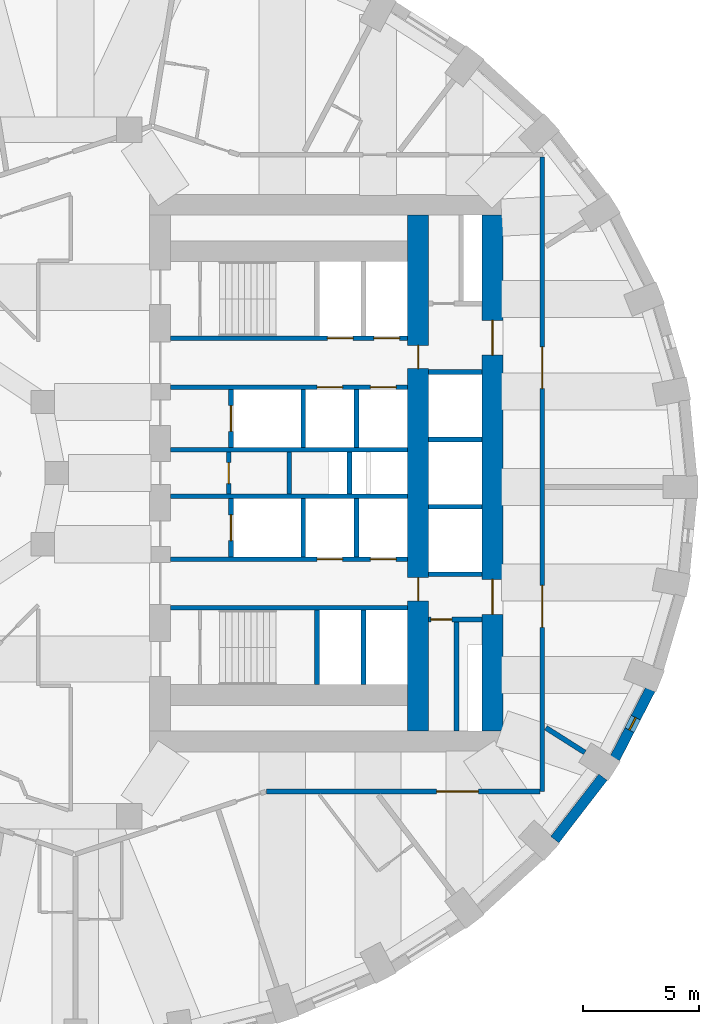
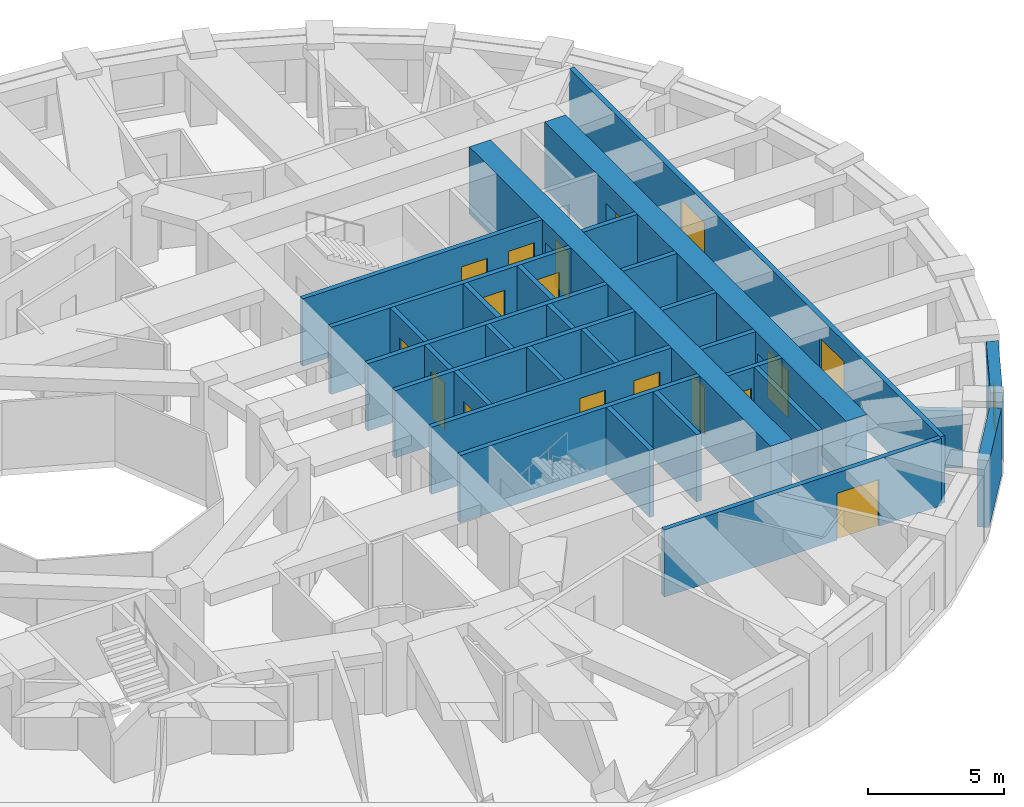
# One storey, part 6 of 12: 30 walls, 17 doors, 1 window, 18 openings.
"""IFC4 building model written with IfcOpenShell, lengths in metres."""

from ifc_helpers import new_model, si_unit, direction, frame, frame_2d, origin, place, context, subcontext, project, spatial, rectangle, extrude, material, layer, layer_set, type_object, element, fill, save


model = new_model("IFC4")

# Units and contexts
model_context = context("Model", 3, precision=1e-05, world=origin(), true_north=direction((0.0, 1.0)))
body_context = subcontext(model_context, "Body", "Model", "MODEL_VIEW")
ifc_project = project(units=[si_unit("LENGTHUNIT", "METRE"), si_unit("AREAUNIT", "SQUARE_METRE"), si_unit("VOLUMEUNIT", "CUBIC_METRE"), si_unit("PLANEANGLEUNIT", "RADIAN"), si_unit("MASSUNIT", "GRAM", prefix="KILO")], contexts=[model_context])

# Site, building, storey
site_placement = place(None, origin())
site = spatial("IfcSite", under=ifc_project, at=site_placement, CompositionType="ELEMENT")
building_placement = place(site_placement, origin())
building = spatial("IfcBuilding", under=site, at=building_placement, Name="Taillehof Tower", CompositionType="ELEMENT")
storey_placement = place(building_placement, frame((0.0, 0.0, 118.60009765625)))
storey = spatial("IfcBuildingStorey", under=building, at=storey_placement, Name="L33", CompositionType="ELEMENT", Elevation=118.60009765625)

# Wall
ifc_material_1 = material(Name="Brick masonry", Category="masonry")
ifc_layer_1 = layer(ifc_material_1, 0.449951171875)
ifc_layer_set_1 = layer_set([ifc_layer_1], Name="Brick infill wall 450")
wall_type_1 = type_object("IfcWallType", Name="Brick infill wall 450", PredefinedType="SOLIDWALL", material=ifc_layer_set_1)
wall_1_placement = place(storey_placement, frame((21.43505859375, -15.775390625, 0.0), z_axis=(0.0, 0.0, 1.0), x_axis=(0.610693945156, 0.791866721961, 0.0)))
element("IfcWall", 1, at=wall_1_placement, inside=storey, type_object=wall_type_1, Name="Brick wall L33 bay 33", PredefinedType="SOLIDWALL", context=body_context, shape_type="SweptSolid", body=[
    extrude(rectangle(XDim=3.39453125, YDim=0.449951171875, at=frame_2d((1.697265625, 0.0))), origin(), (0.0, 0.0, 1.0), 3.02001953125),
])

# Wall, opening, window
wall_2_placement = place(storey_placement, frame((24.022705078125, -12.27685546875, 0.0), z_axis=(0.0, 0.0, 1.0), x_axis=(0.456828186229, 0.889554949549, 0.0)))
wall_2 = element("IfcWall", 2, at=wall_2_placement, inside=storey, type_object=wall_type_1, Name="Brick wall L33 bay 34", PredefinedType="SOLIDWALL", context=body_context, shape_type="SweptSolid", body=[
    extrude(rectangle(XDim=3.332763671875, YDim=0.449951171875, at=frame_2d((1.66650390625, 0.0))), origin(), (0.0, 0.0, 1.0), 3.02001953125),
])
opening_1_placement = place(wall_2_placement, frame((1.366455078125, 0.0, 0.39990234375)))
opening_1 = element("IfcOpeningElement", 3, at=opening_1_placement, cuts=wall_2, Name="Opening W6", PredefinedType="OPENING", context=body_context, shape_type="SweptSolid", body=[
    extrude(rectangle(XDim=0.60009765625, YDim=1.75, at=frame_2d((0.300048828125, 0.875))), frame((0.0, 0.23486328125, 0.0), z_axis=(0.0, -1.0, 0.0), x_axis=(1.0, 0.0, 0.0)), (0.0, 0.0, 1.0), 0.469970703125),
])
ifc_material_2 = material(Name="Aluminium window frame with clear double glazing", Category="aluminium")
window_type = type_object("IfcWindowType", Name="Slot window 600x1750", PartitioningType="SINGLE_PANEL", PredefinedType="WINDOW", material=ifc_material_2)
window_placement = place(opening_1_placement, origin())
window = element("IfcWindow", 4, at=window_placement, inside=storey, type_object=window_type, Name="W6", OverallHeight=1.75, OverallWidth=0.60009765625, PartitioningType="SINGLE_PANEL", PredefinedType="WINDOW", context=body_context, shape_type="SweptSolid", body=[
    extrude(rectangle(XDim=0.60009765625, YDim=1.75, at=frame_2d((0.300048828125, 0.875))), frame((0.0, 0.034912109375, 0.0), z_axis=(0.0, -1.0, 0.0), x_axis=(1.0, 0.0, 0.0)), (0.0, 0.0, 1.0), 0.06005859375),
])
fill(opening_1, window)

# Wall, opening, door
ifc_material_3 = material(Name="Calcium silicate masonry", Category="masonry")
ifc_layer_2 = layer(ifc_material_3, 0.199951171875)
ifc_layer_set_2 = layer_set([ifc_layer_2], Name="Compartment wall calcium silicate 200")
wall_type_2 = type_object("IfcWallType", Name="Compartment wall calcium silicate 200", PredefinedType="PARTITIONING", material=ifc_layer_set_2)
wall_3_placement = place(storey_placement, frame((7.39990234375, -0.89990234375, 0.0), z_axis=(0.0, 0.0, 1.0), x_axis=(0.0, 1.0, 0.0)))
wall_3 = element("IfcWall", 5, at=wall_3_placement, inside=storey, type_object=wall_type_2, Name="Compartment wall FW", PredefinedType="PARTITIONING", context=body_context, shape_type="SweptSolid", body=[
    extrude(rectangle(XDim=1.7998046875, YDim=0.199951171875, at=frame_2d((0.89990234375, 0.0))), origin(), (0.0, 0.0, 1.0), 3.02001953125),
])
opening_2_placement = place(wall_3_placement, frame((0.449951171875, 0.0, 0.0)))
opening_2 = element("IfcOpeningElement", 6, at=opening_2_placement, cuts=wall_3, Name="Opening D3314", PredefinedType="OPENING", context=body_context, shape_type="SweptSolid", body=[
    extrude(rectangle(XDim=0.89990234375, YDim=2.10009765625, at=frame_2d((0.449951171875, 1.050048828125))), frame((0.0, 0.10986328125, 0.0), z_axis=(0.0, -1.0, 0.0), x_axis=(1.0, 0.0, 0.0)), (0.0, 0.0, 1.0), 0.219970703125),
])
ifc_material_4 = material(Name="Steel-faced fire door", Category="steel")
door_type_1 = type_object("IfcDoorType", Name="Riser and service room door 900x2100", OperationType="SINGLE_SWING_LEFT", PredefinedType="DOOR", material=ifc_material_4)
door_1_placement = place(opening_2_placement, origin())
door_1 = element("IfcDoor", 7, at=door_1_placement, inside=storey, type_object=door_type_1, Name="Door Bms Room", OperationType="SINGLE_SWING_RIGHT", OverallHeight=2.10009765625, OverallWidth=0.89990234375, PredefinedType="DOOR", context=body_context, shape_type="SweptSolid", body=[
    extrude(rectangle(XDim=0.89990234375, YDim=2.10009765625, at=frame_2d((0.449951171875, 1.050048828125))), frame((0.0, 0.02490234375, 0.0), z_axis=(0.0, -1.0, 0.0), x_axis=(1.0, 0.0, 0.0)), (0.0, 0.0, 1.0), 0.050048828125),
])
fill(opening_2, door_1)

# Walls
for number, where, z_axis, x_axis, name in (
    (8, (10.0, -0.89990234375, 0.0), (0.0, 0.0, 1.0), (0.0, 1.0, 0.0), "Compartment wall FW"),
    (9, (12.60009765625, -0.89990234375, 0.0), (0.0, 0.0, 1.0), (0.0, 1.0, 0.0), "Compartment wall FW"),
):
    element("IfcWall", number, at=place(storey_placement, frame(where, z_axis=z_axis, x_axis=x_axis)), inside=storey, type_object=wall_type_2, Name=name, PredefinedType="PARTITIONING", context=body_context, shape_type="SweptSolid", body=[
        extrude(rectangle(XDim=1.7998046875, YDim=0.199951171875, at=frame_2d((0.89990234375, 0.0))), origin(), (0.0, 0.0, 1.0), 3.02001953125),
    ])

# Wall, opening, door
wall_4_placement = place(storey_placement, frame((16.0, -6.300048828125, 0.0), z_axis=(0.0, 0.0, 1.0), x_axis=(1.0, 0.0, 0.0)))
wall_4 = element("IfcWall", 10, at=wall_4_placement, inside=storey, type_object=wall_type_2, Name="Compartment wall FW", PredefinedType="PARTITIONING", context=body_context, shape_type="SweptSolid", body=[
    extrude(rectangle(XDim=2.300048828125, YDim=0.199951171875, at=frame_2d((1.14990234375, 0.0))), origin(), (0.0, 0.0, 1.0), 3.02001953125),
])
opening_3_placement = place(wall_4_placement, frame((0.10009765625, 0.0, 0.0)))
opening_3 = element("IfcOpeningElement", 11, at=opening_3_placement, cuts=wall_4, Name="Opening D3318", PredefinedType="OPENING", context=body_context, shape_type="SweptSolid", body=[
    extrude(rectangle(XDim=0.89990234375, YDim=2.10009765625, at=frame_2d((0.449951171875, 1.050048828125))), frame((0.0, 0.10986328125, 0.0), z_axis=(0.0, -1.0, 0.0), x_axis=(1.0, 0.0, 0.0)), (0.0, 0.0, 1.0), 0.219970703125),
])
door_2_placement = place(opening_3_placement, origin())
door_2 = element("IfcDoor", 12, at=door_2_placement, inside=storey, type_object=door_type_1, Name="Door Housekeeping Store", OperationType="SINGLE_SWING_LEFT", OverallHeight=2.10009765625, OverallWidth=0.89990234375, PredefinedType="DOOR", context=body_context, shape_type="SweptSolid", body=[
    extrude(rectangle(XDim=0.89990234375, YDim=2.10009765625, at=frame_2d((0.449951171875, 1.050048828125))), frame((0.0, 0.02490234375, 0.0), z_axis=(0.0, -1.0, 0.0), x_axis=(1.0, 0.0, 0.0)), (0.0, 0.0, 1.0), 0.050048828125),
])
fill(opening_3, door_2)

# Wall
wall_5_placement = place(storey_placement, frame((17.199951171875, -11.10009765625, 0.0), z_axis=(0.0, 0.0, 1.0), x_axis=(0.0, 1.0, 0.0)))
element("IfcWall", 13, at=wall_5_placement, inside=storey, type_object=wall_type_2, Name="Compartment wall FW", PredefinedType="PARTITIONING", context=body_context, shape_type="SweptSolid", body=[
    extrude(rectangle(XDim=4.7001953125, YDim=0.199951171875, at=frame_2d((2.35009765625, 0.0))), origin(), (0.0, 0.0, 1.0), 3.02001953125),
])

# Wall, openings, doors
ifc_material_5 = material(Name="Gypsum board on steel studs, two layers each side", Category="steel")
ifc_layer_3 = layer(ifc_material_5, 0.199951171875)
ifc_layer_set_3 = layer_set([ifc_layer_3], Name="Compartment wall corridor 200")
wall_type_3 = type_object("IfcWallType", Name="Compartment wall corridor 200", PredefinedType="PARTITIONING", material=ifc_layer_set_3)
wall_6_placement = place(storey_placement, frame((20.89990234375, 13.599853515625, 0.0), z_axis=(0.0, 0.0, 1.0), x_axis=(0.0, -1.0, 0.0)))
wall_6 = element("IfcWall", 14, at=wall_6_placement, inside=storey, type_object=wall_type_3, Name="Compartment wall", PredefinedType="PARTITIONING", context=body_context, shape_type="SweptSolid", body=[
    extrude(rectangle(XDim=27.2998046875, YDim=0.199951171875, at=frame_2d((13.64990234375, 0.0))), origin(), (0.0, 0.0, 1.0), 3.02001953125),
])
opening_4_placement = place(wall_6_placement, frame((18.433349609375, 0.0, 0.0)))
opening_4 = element("IfcOpeningElement", 15, at=opening_4_placement, cuts=wall_6, Name="Opening D3363", PredefinedType="OPENING", context=body_context, shape_type="SweptSolid", body=[
    extrude(rectangle(XDim=1.800048828125, YDim=2.10009765625, at=frame_2d((0.89990234375, 1.050048828125))), frame((0.0, 0.10986328125, 0.0), z_axis=(0.0, -1.0, 0.0), x_axis=(1.0, 0.0, 0.0)), (0.0, 0.0, 1.0), 0.219970703125),
])
opening_5_placement = place(wall_6_placement, frame((8.16650390625, 0.0, 0.0)))
opening_5 = element("IfcOpeningElement", 16, at=opening_5_placement, cuts=wall_6, Name="Opening D3364", PredefinedType="OPENING", context=body_context, shape_type="SweptSolid", body=[
    extrude(rectangle(XDim=1.800048828125, YDim=2.10009765625, at=frame_2d((0.89990234375, 1.050048828125))), frame((0.0, 0.10986328125, 0.0), z_axis=(0.0, -1.0, 0.0), x_axis=(1.0, 0.0, 0.0)), (0.0, 0.0, 1.0), 0.219970703125),
])
ifc_material_6 = material(Name="Timber door leaf in steel frame", Category="steel")
door_type_2 = type_object("IfcDoorType", Name="Lounge and meeting room double door EI 30 1800 x 2100", OperationType="SINGLE_SWING_LEFT", PredefinedType="DOOR", material=ifc_material_6)
door_3_placement = place(opening_4_placement, origin())
door_3 = element("IfcDoor", 17, at=door_3_placement, inside=storey, type_object=door_type_2, Name="D3363", OperationType="DOUBLE_DOOR_SINGLE_SWING", OverallHeight=2.10009765625, OverallWidth=1.800048828125, PredefinedType="DOOR", context=body_context, shape_type="SweptSolid", body=[
    extrude(rectangle(XDim=1.800048828125, YDim=2.10009765625, at=frame_2d((0.89990234375, 1.050048828125))), frame((0.0, 0.02490234375, 0.0), z_axis=(0.0, -1.0, 0.0), x_axis=(1.0, 0.0, 0.0)), (0.0, 0.0, 1.0), 0.050048828125),
])
fill(opening_4, door_3)
door_4_placement = place(opening_5_placement, origin())
door_4 = element("IfcDoor", 18, at=door_4_placement, inside=storey, type_object=door_type_2, Name="D3364", OperationType="DOUBLE_DOOR_SINGLE_SWING", OverallHeight=2.10009765625, OverallWidth=1.800048828125, PredefinedType="DOOR", context=body_context, shape_type="SweptSolid", body=[
    extrude(rectangle(XDim=1.800048828125, YDim=2.10009765625, at=frame_2d((0.89990234375, 1.050048828125))), frame((0.0, 0.02490234375, 0.0), z_axis=(0.0, -1.0, 0.0), x_axis=(1.0, 0.0, 0.0)), (0.0, 0.0, 1.0), 0.050048828125),
])
fill(opening_5, door_4)

# Wall, opening, door
wall_7_placement = place(storey_placement, frame((20.7998046875, -13.699951171875, 0.0), z_axis=(0.0, 0.0, 1.0), x_axis=(-1.0, 0.0, 0.0)))
wall_7 = element("IfcWall", 19, at=wall_7_placement, inside=storey, type_object=wall_type_3, Name="Compartment wall", PredefinedType="PARTITIONING", context=body_context, shape_type="SweptSolid", body=[
    extrude(rectangle(XDim=11.777587890625, YDim=0.199951171875, at=frame_2d((5.888671875, 0.0))), origin(), (0.0, 0.0, 1.0), 3.02001953125),
])
opening_6_placement = place(wall_7_placement, frame((2.650146484375, 0.0, 0.0)))
opening_6 = element("IfcOpeningElement", 20, at=opening_6_placement, cuts=wall_7, Name="Opening D3362", PredefinedType="OPENING", context=body_context, shape_type="SweptSolid", body=[
    extrude(rectangle(XDim=1.800048828125, YDim=2.10009765625, at=frame_2d((0.89990234375, 1.050048828125))), frame((0.0, 0.10986328125, 0.0), z_axis=(0.0, -1.0, 0.0), x_axis=(1.0, 0.0, 0.0)), (0.0, 0.0, 1.0), 0.219970703125),
])
door_5_placement = place(opening_6_placement, origin())
door_5 = element("IfcDoor", 21, at=door_5_placement, inside=storey, type_object=door_type_2, Name="D3362", OperationType="DOUBLE_DOOR_SINGLE_SWING", OverallHeight=2.10009765625, OverallWidth=1.800048828125, PredefinedType="DOOR", context=body_context, shape_type="SweptSolid", body=[
    extrude(rectangle(XDim=1.800048828125, YDim=2.10009765625, at=frame_2d((0.89990234375, 1.050048828125))), frame((0.0, 0.02490234375, 0.0), z_axis=(0.0, -1.0, 0.0), x_axis=(1.0, 0.0, 0.0)), (0.0, 0.0, 1.0), 0.050048828125),
])
fill(opening_6, door_5)

# Wall
ifc_material_7 = material(Name="Gypsum board on double steel studs with mineral wool", Category="steel")
ifc_layer_4 = layer(ifc_material_7, 0.219970703125)
ifc_layer_set_4 = layer_set([ifc_layer_4], Name="Compartment wall guest room 220")
wall_type_4 = type_object("IfcWallType", Name="Compartment wall guest room 220", PredefinedType="PARTITIONING", material=ifc_layer_set_4)
wall_8_placement = place(storey_placement, frame((22.7265625, -12.0234375, 0.0), z_axis=(0.0, 0.0, 1.0), x_axis=(-0.84453164716, 0.535505646044, 0.0)))
element("IfcWall", 22, at=wall_8_placement, inside=storey, type_object=wall_type_4, Name="Compartment wall", PredefinedType="PARTITIONING", context=body_context, shape_type="SweptSolid", body=[
    extrude(rectangle(XDim=1.984619140625, YDim=0.219970703125, at=frame_2d((0.9921875, 0.0))), origin(), (0.0, 0.0, 1.0), 2.56982421875),
])

# Wall, openings, doors
ifc_material_8 = material(Name="Concrete C80/95", Category="concrete")
ifc_layer_5 = layer(ifc_material_8, 0.89990234375)
ifc_layer_set_5 = layer_set([ifc_layer_5], Name="Core wall C80/95 900")
wall_type_5 = type_object("IfcWallType", Name="Core wall C80/95 900", PredefinedType="SHEAR", material=ifc_layer_set_5)
wall_9_placement = place(storey_placement, frame((18.75, -11.10009765625, 0.0), z_axis=(0.0, 0.0, 1.0), x_axis=(0.0, 1.0, 0.0)))
wall_9 = element("IfcWall", 23, at=wall_9_placement, inside=storey, type_object=wall_type_5, Name="Core wall CW02", PredefinedType="SHEAR", context=body_context, shape_type="SweptSolid", body=[
    extrude(rectangle(XDim=22.2001953125, YDim=0.89990234375, at=frame_2d((11.10009765625, 0.0))), origin(), (0.0, 0.0, 1.0), 3.02001953125),
])
opening_7_placement = place(wall_9_placement, frame((16.175048828125, 0.0, 0.0)))
opening_7 = element("IfcOpeningElement", 24, at=opening_7_placement, cuts=wall_9, Name="Opening D3308", PredefinedType="OPENING", context=body_context, shape_type="SweptSolid", body=[
    extrude(rectangle(XDim=1.5, YDim=2.10009765625, at=frame_2d((0.75, 1.050048828125))), frame((0.0, 0.4599609375, 0.0), z_axis=(0.0, -1.0, 0.0), x_axis=(1.0, 0.0, 0.0)), (0.0, 0.0, 1.0), 0.919921875),
])
opening_8_placement = place(wall_9_placement, frame((5.02490234375, 0.0, 0.0)))
opening_8 = element("IfcOpeningElement", 25, at=opening_8_placement, cuts=wall_9, Name="Opening D3309", PredefinedType="OPENING", context=body_context, shape_type="SweptSolid", body=[
    extrude(rectangle(XDim=1.5, YDim=2.10009765625, at=frame_2d((0.75, 1.050048828125))), frame((0.0, 0.4599609375, 0.0), z_axis=(0.0, -1.0, 0.0), x_axis=(1.0, 0.0, 0.0)), (0.0, 0.0, 1.0), 0.919921875),
])
ifc_material_9 = material(Name="Steel-faced fire door", Category="steel")
door_type_3 = type_object("IfcDoorType", Name="Lift lobby east door 1500x2100", OperationType="DOUBLE_DOOR_SINGLE_SWING", PredefinedType="DOOR", material=ifc_material_9)
door_6_placement = place(opening_7_placement, origin())
door_6 = element("IfcDoor", 26, at=door_6_placement, inside=storey, type_object=door_type_3, Name="Lift lobby east door north", OperationType="DOUBLE_DOOR_SINGLE_SWING", OverallHeight=2.10009765625, OverallWidth=1.5, PredefinedType="DOOR", context=body_context, shape_type="SweptSolid", body=[
    extrude(rectangle(XDim=1.5, YDim=2.10009765625, at=frame_2d((0.75, 1.050048828125))), frame((0.0, 0.02490234375, 0.0), z_axis=(0.0, -1.0, 0.0), x_axis=(1.0, 0.0, 0.0)), (0.0, 0.0, 1.0), 0.050048828125),
])
fill(opening_7, door_6)
door_7_placement = place(opening_8_placement, origin())
door_7 = element("IfcDoor", 27, at=door_7_placement, inside=storey, type_object=door_type_3, Name="Lift lobby east door south", OperationType="DOUBLE_DOOR_SINGLE_SWING", OverallHeight=2.10009765625, OverallWidth=1.5, PredefinedType="DOOR", context=body_context, shape_type="SweptSolid", body=[
    extrude(rectangle(XDim=1.5, YDim=2.10009765625, at=frame_2d((0.75, 1.050048828125))), frame((0.0, 0.02490234375, 0.0), z_axis=(0.0, -1.0, 0.0), x_axis=(1.0, 0.0, 0.0)), (0.0, 0.0, 1.0), 0.050048828125),
])
fill(opening_8, door_7)

wall_10_placement = place(storey_placement, frame((15.550048828125, -11.10009765625, 0.0), z_axis=(0.0, 0.0, 1.0), x_axis=(0.0, 1.0, 0.0)))
wall_10 = element("IfcWall", 28, at=wall_10_placement, inside=storey, type_object=wall_type_5, Name="Core wall CW05", PredefinedType="SHEAR", context=body_context, shape_type="SweptSolid", body=[
    extrude(rectangle(XDim=22.2001953125, YDim=0.89990234375, at=frame_2d((11.10009765625, 0.0))), origin(), (0.0, 0.0, 1.0), 3.02001953125),
])
opening_9_placement = place(wall_10_placement, frame((15.60009765625, 0.0, 0.0)))
opening_9 = element("IfcOpeningElement", 29, at=opening_9_placement, cuts=wall_10, Name="Opening D3315", PredefinedType="OPENING", context=body_context, shape_type="SweptSolid", body=[
    extrude(rectangle(XDim=1.0, YDim=2.10009765625, at=frame_2d((0.5, 1.050048828125))), frame((0.0, 0.4599609375, 0.0), z_axis=(0.0, -1.0, 0.0), x_axis=(1.0, 0.0, 0.0)), (0.0, 0.0, 1.0), 0.919921875),
])
opening_10_placement = place(wall_10_placement, frame((5.60009765625, 0.0, 0.0)))
opening_10 = element("IfcOpeningElement", 30, at=opening_10_placement, cuts=wall_10, Name="Opening D3317", PredefinedType="OPENING", context=body_context, shape_type="SweptSolid", body=[
    extrude(rectangle(XDim=1.0, YDim=2.10009765625, at=frame_2d((0.5, 1.050048828125))), frame((0.0, 0.4599609375, 0.0), z_axis=(0.0, -1.0, 0.0), x_axis=(1.0, 0.0, 0.0)), (0.0, 0.0, 1.0), 0.919921875),
])
ifc_material_10 = material(Name="Steel-faced fire door", Category="steel")
door_type_4 = type_object("IfcDoorType", Name="Service door 1000x2100", OperationType="SINGLE_SWING_RIGHT", PredefinedType="DOOR", material=ifc_material_10)
door_8_placement = place(opening_9_placement, origin())
door_8 = element("IfcDoor", 31, at=door_8_placement, inside=storey, type_object=door_type_4, Name="Service door strip", OperationType="SINGLE_SWING_RIGHT", OverallHeight=2.10009765625, OverallWidth=1.0, PredefinedType="DOOR", context=body_context, shape_type="SweptSolid", body=[
    extrude(rectangle(XDim=1.0, YDim=2.10009765625, at=frame_2d((0.5, 1.050048828125))), frame((0.0, 0.02490234375, 0.0), z_axis=(0.0, -1.0, 0.0), x_axis=(1.0, 0.0, 0.0)), (0.0, 0.0, 1.0), 0.050048828125),
])
fill(opening_9, door_8)
door_9_placement = place(opening_10_placement, origin())
door_9 = element("IfcDoor", 32, at=door_9_placement, inside=storey, type_object=door_type_4, Name="Service door strip", OperationType="SINGLE_SWING_LEFT", OverallHeight=2.10009765625, OverallWidth=1.0, PredefinedType="DOOR", context=body_context, shape_type="SweptSolid", body=[
    extrude(rectangle(XDim=1.0, YDim=2.10009765625, at=frame_2d((0.5, 1.050048828125))), frame((0.0, 0.02490234375, 0.0), z_axis=(0.0, -1.0, 0.0), x_axis=(1.0, 0.0, 0.0)), (0.0, 0.0, 1.0), 0.050048828125),
])
fill(opening_10, door_9)

ifc_material_11 = material(Name="Concrete C50/60", Category="concrete")
ifc_layer_6 = layer(ifc_material_11, 0.199951171875)
ifc_layer_set_6 = layer_set([ifc_layer_6], Name="Shaft wall C50/60 200")
wall_type_6 = type_object("IfcWallType", Name="Shaft wall C50/60 200", PredefinedType="SHEAR", material=ifc_layer_set_6)
wall_11_placement = place(storey_placement, frame((4.89990234375, 5.800048828125, 0.0), z_axis=(0.0, 0.0, 1.0), x_axis=(1.0, 0.0, 0.0)))
wall_11 = element("IfcWall", 33, at=wall_11_placement, inside=storey, type_object=wall_type_6, Name="Shaft wall SW", PredefinedType="SHEAR", context=body_context, shape_type="SweptSolid", body=[
    extrude(rectangle(XDim=10.2001953125, YDim=0.199951171875, at=frame_2d((5.10009765625, 0.0))), origin(), (0.0, 0.0, 1.0), 3.02001953125),
])
opening_11_placement = place(wall_11_placement, frame((6.75, 0.0, 0.0)))
opening_11 = element("IfcOpeningElement", 34, at=opening_11_placement, cuts=wall_11, Name="Opening LD1", PredefinedType="OPENING", context=body_context, shape_type="SweptSolid", body=[
    extrude(rectangle(XDim=1.10009765625, YDim=2.10009765625, at=frame_2d((0.550048828125, 1.050048828125))), frame((0.0, 0.10986328125, 0.0), z_axis=(0.0, -1.0, 0.0), x_axis=(1.0, 0.0, 0.0)), (0.0, 0.0, 1.0), 0.219970703125),
])
opening_12_placement = place(wall_11_placement, frame((8.75, 0.0, 0.0)))
opening_12 = element("IfcOpeningElement", 35, at=opening_12_placement, cuts=wall_11, Name="Opening LD1", PredefinedType="OPENING", context=body_context, shape_type="SweptSolid", body=[
    extrude(rectangle(XDim=1.10009765625, YDim=2.10009765625, at=frame_2d((0.550048828125, 1.050048828125))), frame((0.0, 0.10986328125, 0.0), z_axis=(0.0, -1.0, 0.0), x_axis=(1.0, 0.0, 0.0)), (0.0, 0.0, 1.0), 0.219970703125),
])
ifc_material_12 = material(Name="Stainless steel", Category="steel")
door_type_5 = type_object("IfcDoorType", Name="Lift landing door LD1 1100x2100", OperationType="DOUBLE_DOOR_SLIDING", PredefinedType="DOOR", material=ifc_material_12)
door_10_placement = place(opening_11_placement, origin())
door_10 = element("IfcDoor", 36, at=door_10_placement, inside=storey, type_object=door_type_5, Name="Landing door LR1", OperationType="DOUBLE_DOOR_SLIDING", OverallHeight=2.10009765625, OverallWidth=1.10009765625, PredefinedType="DOOR", context=body_context, shape_type="SweptSolid", body=[
    extrude(rectangle(XDim=1.10009765625, YDim=2.10009765625, at=frame_2d((0.550048828125, 1.050048828125))), frame((0.0, 0.02490234375, 0.0), z_axis=(0.0, -1.0, 0.0), x_axis=(1.0, 0.0, 0.0)), (0.0, 0.0, 1.0), 0.050048828125),
])
fill(opening_11, door_10)
door_11_placement = place(opening_12_placement, origin())
door_11 = element("IfcDoor", 37, at=door_11_placement, inside=storey, type_object=door_type_5, Name="Landing door LR2", OperationType="DOUBLE_DOOR_SLIDING", OverallHeight=2.10009765625, OverallWidth=1.10009765625, PredefinedType="DOOR", context=body_context, shape_type="SweptSolid", body=[
    extrude(rectangle(XDim=1.10009765625, YDim=2.10009765625, at=frame_2d((0.550048828125, 1.050048828125))), frame((0.0, 0.02490234375, 0.0), z_axis=(0.0, -1.0, 0.0), x_axis=(1.0, 0.0, 0.0)), (0.0, 0.0, 1.0), 0.050048828125),
])
fill(opening_12, door_11)

wall_12_placement = place(storey_placement, frame((4.89990234375, 3.699951171875, 0.0), z_axis=(0.0, 0.0, 1.0), x_axis=(1.0, 0.0, 0.0)))
wall_12 = element("IfcWall", 38, at=wall_12_placement, inside=storey, type_object=wall_type_6, Name="Shaft wall SW", PredefinedType="SHEAR", context=body_context, shape_type="SweptSolid", body=[
    extrude(rectangle(XDim=10.2001953125, YDim=0.199951171875, at=frame_2d((5.10009765625, 0.0))), origin(), (0.0, 0.0, 1.0), 3.02001953125),
])
opening_13_placement = place(wall_12_placement, frame((6.300048828125, 0.0, 0.0)))
opening_13 = element("IfcOpeningElement", 39, at=opening_13_placement, cuts=wall_12, Name="Opening LD1", PredefinedType="OPENING", context=body_context, shape_type="SweptSolid", body=[
    extrude(rectangle(XDim=1.10009765625, YDim=2.10009765625, at=frame_2d((0.550048828125, 1.050048828125))), frame((0.0, 0.10986328125, 0.0), z_axis=(0.0, -1.0, 0.0), x_axis=(1.0, 0.0, 0.0)), (0.0, 0.0, 1.0), 0.219970703125),
])
opening_14_placement = place(wall_12_placement, frame((8.60009765625, 0.0, 0.0)))
opening_14 = element("IfcOpeningElement", 40, at=opening_14_placement, cuts=wall_12, Name="Opening LD1", PredefinedType="OPENING", context=body_context, shape_type="SweptSolid", body=[
    extrude(rectangle(XDim=1.10009765625, YDim=2.10009765625, at=frame_2d((0.550048828125, 1.050048828125))), frame((0.0, 0.10986328125, 0.0), z_axis=(0.0, -1.0, 0.0), x_axis=(1.0, 0.0, 0.0)), (0.0, 0.0, 1.0), 0.219970703125),
])
door_12_placement = place(opening_13_placement, origin())
door_12 = element("IfcDoor", 41, at=door_12_placement, inside=storey, type_object=door_type_5, Name="Landing door LR3", OperationType="DOUBLE_DOOR_SLIDING", OverallHeight=2.10009765625, OverallWidth=1.10009765625, PredefinedType="DOOR", context=body_context, shape_type="SweptSolid", body=[
    extrude(rectangle(XDim=1.10009765625, YDim=2.10009765625, at=frame_2d((0.550048828125, 1.050048828125))), frame((0.0, 0.02490234375, 0.0), z_axis=(0.0, -1.0, 0.0), x_axis=(1.0, 0.0, 0.0)), (0.0, 0.0, 1.0), 0.050048828125),
])
fill(opening_13, door_12)
door_13_placement = place(opening_14_placement, origin())
door_13 = element("IfcDoor", 42, at=door_13_placement, inside=storey, type_object=door_type_5, Name="Landing door LR4", OperationType="DOUBLE_DOOR_SLIDING", OverallHeight=2.10009765625, OverallWidth=1.10009765625, PredefinedType="DOOR", context=body_context, shape_type="SweptSolid", body=[
    extrude(rectangle(XDim=1.10009765625, YDim=2.10009765625, at=frame_2d((0.550048828125, 1.050048828125))), frame((0.0, 0.02490234375, 0.0), z_axis=(0.0, -1.0, 0.0), x_axis=(1.0, 0.0, 0.0)), (0.0, 0.0, 1.0), 0.050048828125),
])
fill(opening_14, door_13)

# Walls
for number, where, z_axis, x_axis, name in (
    (43, (4.89990234375, 1.0, 0.0), (0.0, 0.0, 1.0), (1.0, 0.0, 0.0), "Shaft wall SW"),
    (44, (4.89990234375, -1.0, 0.0), (0.0, 0.0, 1.0), (1.0, 0.0, 0.0), "Shaft wall SW"),
):
    element("IfcWall", number, at=place(storey_placement, frame(where, z_axis=z_axis, x_axis=x_axis)), inside=storey, type_object=wall_type_6, Name=name, PredefinedType="SHEAR", context=body_context, shape_type="SweptSolid", body=[
        extrude(rectangle(XDim=10.2001953125, YDim=0.199951171875, at=frame_2d((5.10009765625, 0.0))), origin(), (0.0, 0.0, 1.0), 3.02001953125),
    ])

# Wall, openings, doors
wall_13_placement = place(storey_placement, frame((4.89990234375, -3.699951171875, 0.0), z_axis=(0.0, 0.0, 1.0), x_axis=(1.0, 0.0, 0.0)))
wall_13 = element("IfcWall", 45, at=wall_13_placement, inside=storey, type_object=wall_type_6, Name="Shaft wall SW", PredefinedType="SHEAR", context=body_context, shape_type="SweptSolid", body=[
    extrude(rectangle(XDim=10.2001953125, YDim=0.199951171875, at=frame_2d((5.10009765625, 0.0))), origin(), (0.0, 0.0, 1.0), 3.02001953125),
])
opening_15_placement = place(wall_13_placement, frame((6.300048828125, 0.0, 0.0)))
opening_15 = element("IfcOpeningElement", 46, at=opening_15_placement, cuts=wall_13, Name="Opening LD1", PredefinedType="OPENING", context=body_context, shape_type="SweptSolid", body=[
    extrude(rectangle(XDim=1.10009765625, YDim=2.10009765625, at=frame_2d((0.550048828125, 1.050048828125))), frame((0.0, 0.10986328125, 0.0), z_axis=(0.0, -1.0, 0.0), x_axis=(1.0, 0.0, 0.0)), (0.0, 0.0, 1.0), 0.219970703125),
])
opening_16_placement = place(wall_13_placement, frame((8.60009765625, 0.0, 0.0)))
opening_16 = element("IfcOpeningElement", 47, at=opening_16_placement, cuts=wall_13, Name="Opening LD1", PredefinedType="OPENING", context=body_context, shape_type="SweptSolid", body=[
    extrude(rectangle(XDim=1.10009765625, YDim=2.10009765625, at=frame_2d((0.550048828125, 1.050048828125))), frame((0.0, 0.10986328125, 0.0), z_axis=(0.0, -1.0, 0.0), x_axis=(1.0, 0.0, 0.0)), (0.0, 0.0, 1.0), 0.219970703125),
])
door_14_placement = place(opening_15_placement, origin())
door_14 = element("IfcDoor", 48, at=door_14_placement, inside=storey, type_object=door_type_5, Name="Landing door LR5", OperationType="DOUBLE_DOOR_SLIDING", OverallHeight=2.10009765625, OverallWidth=1.10009765625, PredefinedType="DOOR", context=body_context, shape_type="SweptSolid", body=[
    extrude(rectangle(XDim=1.10009765625, YDim=2.10009765625, at=frame_2d((0.550048828125, 1.050048828125))), frame((0.0, 0.02490234375, 0.0), z_axis=(0.0, -1.0, 0.0), x_axis=(1.0, 0.0, 0.0)), (0.0, 0.0, 1.0), 0.050048828125),
])
fill(opening_15, door_14)
door_15_placement = place(opening_16_placement, origin())
door_15 = element("IfcDoor", 49, at=door_15_placement, inside=storey, type_object=door_type_5, Name="Landing door LR6", OperationType="DOUBLE_DOOR_SLIDING", OverallHeight=2.10009765625, OverallWidth=1.10009765625, PredefinedType="DOOR", context=body_context, shape_type="SweptSolid", body=[
    extrude(rectangle(XDim=1.10009765625, YDim=2.10009765625, at=frame_2d((0.550048828125, 1.050048828125))), frame((0.0, 0.02490234375, 0.0), z_axis=(0.0, -1.0, 0.0), x_axis=(1.0, 0.0, 0.0)), (0.0, 0.0, 1.0), 0.050048828125),
])
fill(opening_16, door_15)

# Walls
wall_14_placement = place(storey_placement, frame((4.89990234375, -5.800048828125, 0.0), z_axis=(0.0, 0.0, 1.0), x_axis=(1.0, 0.0, 0.0)))
element("IfcWall", 50, at=wall_14_placement, inside=storey, type_object=wall_type_6, Name="Shaft wall SW", PredefinedType="SHEAR", context=body_context, shape_type="SweptSolid", body=[
    extrude(rectangle(XDim=10.2001953125, YDim=0.199951171875, at=frame_2d((5.10009765625, 0.0))), origin(), (0.0, 0.0, 1.0), 3.02001953125),
])
for number, where, z_axis, x_axis, name in (
    (51, (11.199951171875, -9.10009765625, 0.0), (0.0, 0.0, 1.0), (0.0, 1.0, 0.0), "Shaft wall SW"),
    (52, (13.199951171875, -9.10009765625, 0.0), (0.0, 0.0, 1.0), (0.0, 1.0, 0.0), "Shaft wall SW"),
):
    element("IfcWall", number, at=place(storey_placement, frame(where, z_axis=z_axis, x_axis=x_axis)), inside=storey, type_object=wall_type_6, Name=name, PredefinedType="SHEAR", context=body_context, shape_type="SweptSolid", body=[
        extrude(rectangle(XDim=3.2001953125, YDim=0.199951171875, at=frame_2d((1.60009765625, 0.0))), origin(), (0.0, 0.0, 1.0), 3.02001953125),
    ])

# Wall, opening, door
wall_15_placement = place(storey_placement, frame((7.5, 1.10009765625, 0.0), z_axis=(0.0, 0.0, 1.0), x_axis=(0.0, 1.0, 0.0)))
wall_15 = element("IfcWall", 53, at=wall_15_placement, inside=storey, type_object=wall_type_6, Name="Shaft wall SW", PredefinedType="SHEAR", context=body_context, shape_type="SweptSolid", body=[
    extrude(rectangle(XDim=2.5, YDim=0.199951171875, at=frame_2d((1.25, 0.0))), origin(), (0.0, 0.0, 1.0), 3.02001953125),
])
opening_17_placement = place(wall_15_placement, frame((0.699951171875, 0.0, 0.0)))
opening_17 = element("IfcOpeningElement", 54, at=opening_17_placement, cuts=wall_15, Name="Opening LD1", PredefinedType="OPENING", context=body_context, shape_type="SweptSolid", body=[
    extrude(rectangle(XDim=1.10009765625, YDim=2.10009765625, at=frame_2d((0.550048828125, 1.050048828125))), frame((0.0, 0.10986328125, 0.0), z_axis=(0.0, -1.0, 0.0), x_axis=(1.0, 0.0, 0.0)), (0.0, 0.0, 1.0), 0.219970703125),
])
door_16_placement = place(opening_17_placement, origin())
door_16 = element("IfcDoor", 55, at=door_16_placement, inside=storey, type_object=door_type_5, Name="Landing door FF1", OperationType="DOUBLE_DOOR_SLIDING", OverallHeight=2.10009765625, OverallWidth=1.10009765625, PredefinedType="DOOR", context=body_context, shape_type="SweptSolid", body=[
    extrude(rectangle(XDim=1.10009765625, YDim=2.10009765625, at=frame_2d((0.550048828125, 1.050048828125))), frame((0.0, 0.02490234375, 0.0), z_axis=(0.0, -1.0, 0.0), x_axis=(1.0, 0.0, 0.0)), (0.0, 0.0, 1.0), 0.050048828125),
])
fill(opening_17, door_16)

wall_16_placement = place(storey_placement, frame((7.5, -3.60009765625, 0.0), z_axis=(0.0, 0.0, 1.0), x_axis=(0.0, 1.0, 0.0)))
wall_16 = element("IfcWall", 56, at=wall_16_placement, inside=storey, type_object=wall_type_6, Name="Shaft wall SW", PredefinedType="SHEAR", context=body_context, shape_type="SweptSolid", body=[
    extrude(rectangle(XDim=2.5, YDim=0.199951171875, at=frame_2d((1.25, 0.0))), origin(), (0.0, 0.0, 1.0), 3.02001953125),
])
opening_18_placement = place(wall_16_placement, frame((0.699951171875, 0.0, 0.0)))
opening_18 = element("IfcOpeningElement", 57, at=opening_18_placement, cuts=wall_16, Name="Opening LD1", PredefinedType="OPENING", context=body_context, shape_type="SweptSolid", body=[
    extrude(rectangle(XDim=1.10009765625, YDim=2.10009765625, at=frame_2d((0.550048828125, 1.050048828125))), frame((0.0, 0.10986328125, 0.0), z_axis=(0.0, -1.0, 0.0), x_axis=(1.0, 0.0, 0.0)), (0.0, 0.0, 1.0), 0.219970703125),
])
door_17_placement = place(opening_18_placement, origin())
door_17 = element("IfcDoor", 58, at=door_17_placement, inside=storey, type_object=door_type_5, Name="Landing door FF2", OperationType="DOUBLE_DOOR_SLIDING", OverallHeight=2.10009765625, OverallWidth=1.10009765625, PredefinedType="DOOR", context=body_context, shape_type="SweptSolid", body=[
    extrude(rectangle(XDim=1.10009765625, YDim=2.10009765625, at=frame_2d((0.550048828125, 1.050048828125))), frame((0.0, 0.02490234375, 0.0), z_axis=(0.0, -1.0, 0.0), x_axis=(1.0, 0.0, 0.0)), (0.0, 0.0, 1.0), 0.050048828125),
])
fill(opening_18, door_17)

# Walls
for number, where, z_axis, x_axis, name in (
    (59, (10.60009765625, 1.10009765625, 0.0), (0.0, 0.0, 1.0), (0.0, 1.0, 0.0), "Shaft wall SW"),
    (60, (10.60009765625, -3.60009765625, 0.0), (0.0, 0.0, 1.0), (0.0, 1.0, 0.0), "Shaft wall SW"),
    (61, (12.89990234375, 1.10009765625, 0.0), (0.0, 0.0, 1.0), (0.0, 1.0, 0.0), "Shaft wall SW"),
    (62, (12.89990234375, -3.60009765625, 0.0), (0.0, 0.0, 1.0), (0.0, 1.0, 0.0), "Shaft wall SW"),
):
    element("IfcWall", number, at=place(storey_placement, frame(where, z_axis=z_axis, x_axis=x_axis)), inside=storey, type_object=wall_type_6, Name=name, PredefinedType="SHEAR", context=body_context, shape_type="SweptSolid", body=[
        extrude(rectangle(XDim=2.5, YDim=0.199951171875, at=frame_2d((1.25, 0.0))), origin(), (0.0, 0.0, 1.0), 3.02001953125),
    ])
for number, where, z_axis, x_axis, name in (
    (63, (16.0, -4.35009765625, 0.0), (0.0, 0.0, 1.0), (1.0, 0.0, 0.0), "Shaft wall SW"),
    (64, (16.0, -1.449951171875, 0.0), (0.0, 0.0, 1.0), (1.0, 0.0, 0.0), "Shaft wall SW"),
    (65, (16.0, 1.449951171875, 0.0), (0.0, 0.0, 1.0), (1.0, 0.0, 0.0), "Shaft wall SW"),
    (66, (16.0, 4.35009765625, 0.0), (0.0, 0.0, 1.0), (1.0, 0.0, 0.0), "Shaft wall SW"),
):
    element("IfcWall", number, at=place(storey_placement, frame(where, z_axis=z_axis, x_axis=x_axis)), inside=storey, type_object=wall_type_6, Name=name, PredefinedType="SHEAR", context=body_context, shape_type="SweptSolid", body=[
        extrude(rectangle(XDim=2.300048828125, YDim=0.199951171875, at=frame_2d((1.14990234375, 0.0))), origin(), (0.0, 0.0, 1.0), 3.02001953125),
    ])

save(model, "model.ifc")
